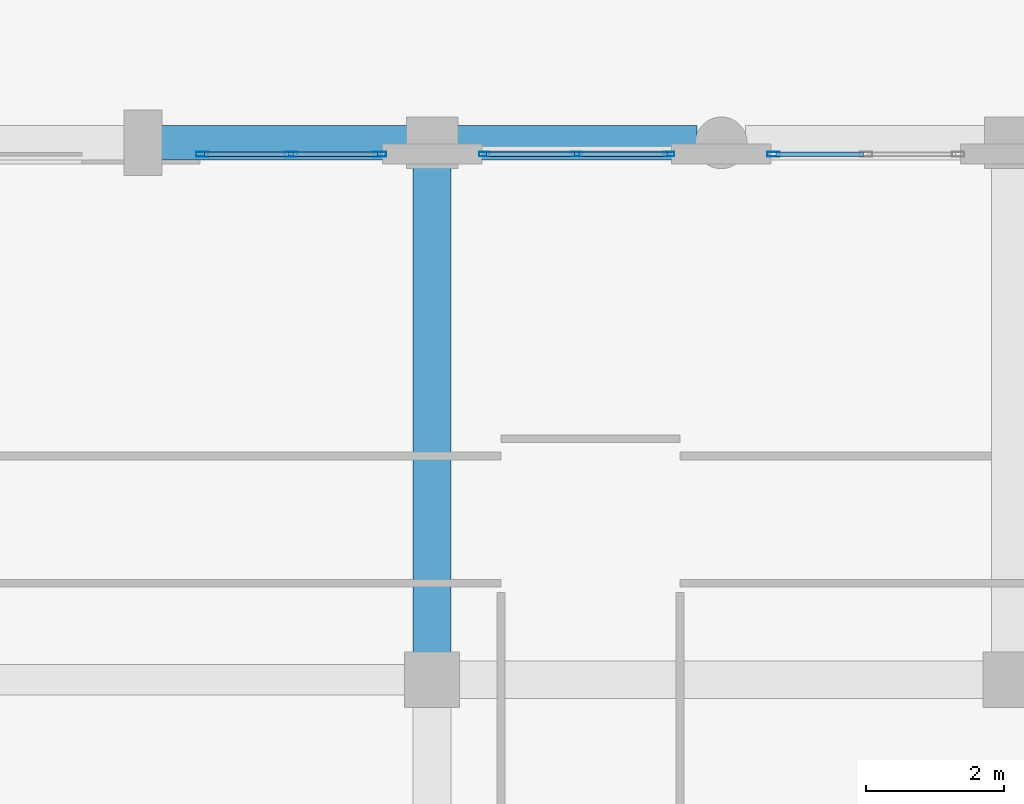
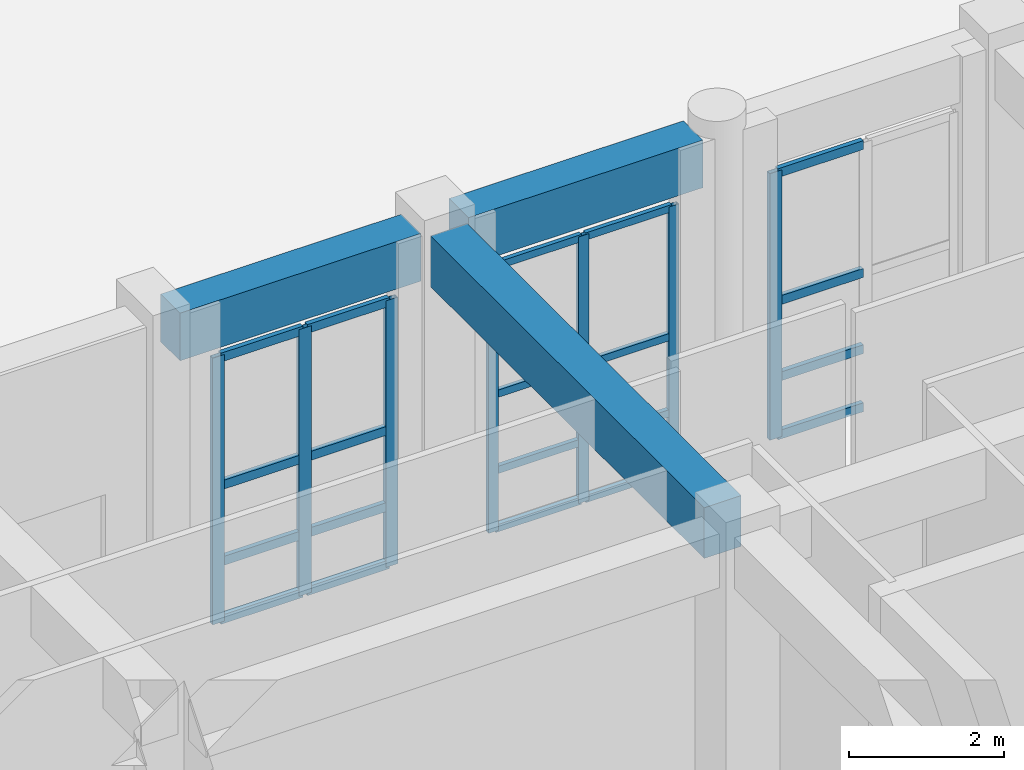
# One storey, part 16 of 148: 27 members, 3 beams, 3 elements without a shape of their own.
"""IFC4 building model written with IfcOpenShell, lengths in metres."""

from ifc_helpers import new_model, si_unit, direction, frame, origin, origin_2d, place, context, subcontext, project, spatial, rectangle, hollow_rectangle, extrude, material, layer, layer_set, material_profile, profile_set, type_object, element, aggregate, save


model = new_model("IFC4")

# Units and contexts
model_context = context("Model", 3, precision=1e-05, world=origin(), true_north=direction((0.0, 1.0)))
body_context = subcontext(model_context, "Body", "Model", "MODEL_VIEW")
ifc_project = project(units=[si_unit("LENGTHUNIT", "METRE"), si_unit("AREAUNIT", "SQUARE_METRE"), si_unit("VOLUMEUNIT", "CUBIC_METRE"), si_unit("PLANEANGLEUNIT", "RADIAN"), si_unit("MASSUNIT", "GRAM", prefix="KILO")], contexts=[model_context])

# Site, building, storey
site_placement = place(None, origin())
site = spatial("IfcSite", under=ifc_project, at=site_placement, CompositionType="ELEMENT")
building_placement = place(site_placement, origin())
building = spatial("IfcBuilding", under=site, at=building_placement, Name="Quendrovan Civic Courthouse", CompositionType="ELEMENT")
storey_placement = place(building_placement, origin())
storey = spatial("IfcBuildingStorey", under=building, at=storey_placement, Name="L01", CompositionType="ELEMENT", Elevation=0.0)

# Beams
ifc_material_1 = material(Name="Concrete C40/50", Category="concrete")
ifc_material_profile_1 = material_profile(ifc_material_1, rectangle(XDim=0.5, YDim=0.75, at=origin_2d()), Name="RC-BM-500x750")
ifc_profile_set_1 = profile_set([ifc_material_profile_1], Name="Concrete C40/50")
beam_type_1 = type_object("IfcBeamType", Name="BM-RC750", PredefinedType="SPANDREL", material=ifc_profile_set_1)
beam_1_placement = place(storey_placement, frame((21.2548828125, 15.60009765625, 4.7451171875), z_axis=(1.0, 0.0, 0.0), x_axis=(0.0, 1.0, 0.0)))
element("IfcBeam", 1, at=beam_1_placement, inside=storey, type_object=beam_type_1, Name="L01 Girder X0266", PredefinedType="SPANDREL", context=body_context, shape_type="SweptSolid", body=[
    extrude(rectangle(XDim=0.5, YDim=0.75, at=origin_2d()), origin(), (0.0, 0.0, 1.0), 3.590087890625),
])
beam_2_placement = place(storey_placement, frame((25.554931640625, 15.60009765625, 4.7451171875), z_axis=(1.0, 0.0, 0.0), x_axis=(0.0, 1.0, 0.0)))
element("IfcBeam", 2, at=beam_2_placement, inside=storey, type_object=beam_type_1, Name="L01 Girder X0267", PredefinedType="SPANDREL", context=body_context, shape_type="SweptSolid", body=[
    extrude(rectangle(XDim=0.5, YDim=0.75, at=origin_2d()), origin(), (0.0, 0.0, 1.0), 3.489990234375),
])
ifc_material_profile_2 = material_profile(ifc_material_1, rectangle(XDim=0.550048828125, YDim=0.800048828125, at=origin_2d()), Name="RC-BM-550x800")
ifc_profile_set_2 = profile_set([ifc_material_profile_2], Name="Concrete C40/50")
beam_type_2 = type_object("IfcBeamType", Name="BM-RC800", PredefinedType="BEAM", material=ifc_profile_set_2)
beam_3_placement = place(storey_placement, frame((25.199951171875, 8.179931640625, 4.719970703125), z_axis=(0.0, 1.0, 0.0), x_axis=(-1.0, 0.0, 0.0)))
element("IfcBeam", 3, at=beam_3_placement, inside=storey, type_object=beam_type_2, Name="L01 Girder Y0400", PredefinedType="BEAM", context=body_context, shape_type="SweptSolid", body=[
    extrude(rectangle(XDim=0.550048828125, YDim=0.800048828125, at=origin_2d()), origin(), (0.0, 0.0, 1.0), 7.065185546875),
])

# Curtain wall, members
ifc_material_2 = material(Name="Bronze anodised aluminium and low-E glass", Category="aluminium")
ifc_layer_1 = layer(ifc_material_2, 0.179931640625, Name="Bronze anodised aluminium and low-E glass")
ifc_layer_set_1 = layer_set([ifc_layer_1], Name="Bronze anodised aluminium and low-E glass")
curtain_wall_type_1 = type_object("IfcCurtainWallType", Name="CW-U26x42", PredefinedType="USERDEFINED", material=ifc_layer_set_1)
curtain_wall_1_placement = place(storey_placement, origin())
curtain_wall_1 = element("IfcCurtainWall", 4, at=curtain_wall_1_placement, inside=storey, type_object=curtain_wall_type_1, Name="L01 Unitised Hurricane Curtain Wall CW-004", ObjectType="UNITISED CURTAIN WALL", PredefinedType="USERDEFINED")
ifc_material_3 = material(Name="Bronze anodised aluminium", Category="aluminium")
ifc_material_profile_3 = material_profile(ifc_material_3, hollow_rectangle(XDim=0.070068359375, YDim=0.179931640625, WallThickness=0.00390625, at=origin_2d()), Name="CW-MULL-70x180")
ifc_profile_set_3 = profile_set([ifc_material_profile_3], Name="Bronze anodised aluminium")
member_type_1 = type_object("IfcMemberType", Name="CW-MULL-A", PredefinedType="MULLION", material=ifc_profile_set_3)
member_1_placement = place(storey_placement, frame((21.860107421875, 15.43505859375, 0.0), z_axis=(0.0, 0.0, 1.0), x_axis=(0.0, 1.0, 0.0)))
member_1 = element("IfcMember", 5, at=member_1_placement, type_object=member_type_1, Name="CW-004 mullion 1", PredefinedType="MULLION", context=body_context, shape_type="SweptSolid", body=[
    extrude(hollow_rectangle(XDim=0.070068359375, YDim=0.179931640625, WallThickness=0.00390625, at=origin_2d()), origin(), (0.0, 0.0, 1.0), 4.199951171875),
])
member_2_placement = place(storey_placement, frame((23.14990234375, 15.43505859375, 0.0), z_axis=(0.0, 0.0, 1.0), x_axis=(0.0, 1.0, 0.0)))
member_2 = element("IfcMember", 6, at=member_2_placement, type_object=member_type_1, Name="CW-004 mullion 2", PredefinedType="MULLION", context=body_context, shape_type="SweptSolid", body=[
    extrude(hollow_rectangle(XDim=0.070068359375, YDim=0.179931640625, WallThickness=0.00390625, at=origin_2d()), origin(), (0.0, 0.0, 1.0), 4.199951171875),
])
member_3_placement = place(storey_placement, frame((24.43994140625, 15.43505859375, 0.0), z_axis=(0.0, 0.0, 1.0), x_axis=(0.0, 1.0, 0.0)))
member_3 = element("IfcMember", 7, at=member_3_placement, type_object=member_type_1, Name="CW-004 mullion 3", PredefinedType="MULLION", context=body_context, shape_type="SweptSolid", body=[
    extrude(hollow_rectangle(XDim=0.070068359375, YDim=0.179931640625, WallThickness=0.00390625, at=origin_2d()), origin(), (0.0, 0.0, 1.0), 4.199951171875),
])

# Curtain wall, member
ifc_layer_2 = layer(ifc_material_2, 0.179931640625, Name="Bronze anodised aluminium and low-E glass")
ifc_layer_set_2 = layer_set([ifc_layer_2], Name="Bronze anodised aluminium and low-E glass")
curtain_wall_type_2 = type_object("IfcCurtainWallType", Name="CW-U28x42", PredefinedType="USERDEFINED", material=ifc_layer_set_2)
curtain_wall_2_placement = place(storey_placement, origin())
curtain_wall_2 = element("IfcCurtainWall", 8, at=curtain_wall_2_placement, inside=storey, type_object=curtain_wall_type_2, Name="L01 Unitised Hurricane Curtain Wall CW-006", ObjectType="UNITISED CURTAIN WALL", PredefinedType="USERDEFINED")
member_4_placement = place(storey_placement, frame((30.159912109375, 15.43505859375, 0.0), z_axis=(0.0, 0.0, 1.0), x_axis=(0.0, 1.0, 0.0)))
member_4 = element("IfcMember", 9, at=member_4_placement, type_object=member_type_1, Name="CW-006 mullion 1", PredefinedType="MULLION", context=body_context, shape_type="SweptSolid", body=[
    extrude(hollow_rectangle(XDim=0.070068359375, YDim=0.179931640625, WallThickness=0.00390625, at=origin_2d()), origin(), (0.0, 0.0, 1.0), 4.199951171875),
])

# Curtain wall, members
curtain_wall_3_placement = place(storey_placement, origin())
curtain_wall_3 = element("IfcCurtainWall", 10, at=curtain_wall_3_placement, inside=storey, type_object=curtain_wall_type_2, Name="L01 Unitised Hurricane Curtain Wall CW-005", ObjectType="UNITISED CURTAIN WALL", PredefinedType="USERDEFINED")
ifc_material_profile_4 = material_profile(ifc_material_3, hollow_rectangle(XDim=0.06494140625, YDim=0.14990234375, WallThickness=0.00390625, at=origin_2d()), Name="CW-MULL-65x150")
ifc_profile_set_4 = profile_set([ifc_material_profile_4], Name="Bronze anodised aluminium")
member_type_2 = type_object("IfcMemberType", Name="CW-MULL-B", PredefinedType="MULLION", material=ifc_profile_set_4)
member_5_placement = place(storey_placement, frame((25.95751953125, 15.43505859375, 0.0), z_axis=(0.0, 0.0, 1.0), x_axis=(0.0, 1.0, 0.0)))
member_5 = element("IfcMember", 11, at=member_5_placement, type_object=member_type_2, Name="CW-005 mullion 1", PredefinedType="MULLION", context=body_context, shape_type="SweptSolid", body=[
    extrude(hollow_rectangle(XDim=0.06494140625, YDim=0.14990234375, WallThickness=0.00390625, at=origin_2d()), origin(), (0.0, 0.0, 1.0), 4.199951171875),
])
member_6_placement = place(storey_placement, frame((27.300048828125, 15.43505859375, 0.0), z_axis=(0.0, 0.0, 1.0), x_axis=(0.0, 1.0, 0.0)))
member_6 = element("IfcMember", 12, at=member_6_placement, type_object=member_type_2, Name="CW-005 mullion 2", PredefinedType="MULLION", context=body_context, shape_type="SweptSolid", body=[
    extrude(hollow_rectangle(XDim=0.06494140625, YDim=0.14990234375, WallThickness=0.00390625, at=origin_2d()), origin(), (0.0, 0.0, 1.0), 4.199951171875),
])
member_7_placement = place(storey_placement, frame((28.642578125, 15.43505859375, 0.0), z_axis=(0.0, 0.0, 1.0), x_axis=(0.0, 1.0, 0.0)))
member_7 = element("IfcMember", 13, at=member_7_placement, type_object=member_type_2, Name="CW-005 mullion 3", PredefinedType="MULLION", context=body_context, shape_type="SweptSolid", body=[
    extrude(hollow_rectangle(XDim=0.06494140625, YDim=0.14990234375, WallThickness=0.00390625, at=origin_2d()), origin(), (0.0, 0.0, 1.0), 4.199951171875),
])

# Member
ifc_material_profile_5 = material_profile(ifc_material_3, hollow_rectangle(XDim=0.070068359375, YDim=0.139892578125, WallThickness=0.00390625, at=origin_2d()), Name="CW-TRAN-70x140")
ifc_profile_set_5 = profile_set([ifc_material_profile_5], Name="Bronze anodised aluminium")
member_type_3 = type_object("IfcMemberType", Name="CW-TRAN-A", PredefinedType="USERDEFINED", material=ifc_profile_set_5)
member_8_placement = place(storey_placement, frame((21.89501953125, 15.43505859375, 0.034912109375), z_axis=(1.0, 0.0, 0.0), x_axis=(0.0, 1.0, 0.0)))
member_8 = element("IfcMember", 14, at=member_8_placement, type_object=member_type_3, Name="CW-004 transom 1.1", ObjectType="TRANSOM", PredefinedType="USERDEFINED", context=body_context, shape_type="SweptSolid", body=[
    extrude(hollow_rectangle(XDim=0.070068359375, YDim=0.139892578125, WallThickness=0.00390625, at=origin_2d()), origin(), (0.0, 0.0, 1.0), 1.219970703125),
])

member_9_placement = place(storey_placement, frame((21.89501953125, 15.43505859375, 0.949951171875), z_axis=(1.0, 0.0, 0.0), x_axis=(0.0, 1.0, 0.0)))
member_9 = element("IfcMember", 15, at=member_9_placement, type_object=member_type_3, Name="CW-004 transom 1.2", ObjectType="TRANSOM", PredefinedType="USERDEFINED", context=body_context, shape_type="SweptSolid", body=[
    extrude(hollow_rectangle(XDim=0.070068359375, YDim=0.139892578125, WallThickness=0.00390625, at=origin_2d()), origin(), (0.0, 0.0, 1.0), 1.219970703125),
])

member_10_placement = place(storey_placement, frame((21.89501953125, 15.43505859375, 2.14990234375), z_axis=(1.0, 0.0, 0.0), x_axis=(0.0, 1.0, 0.0)))
member_10 = element("IfcMember", 16, at=member_10_placement, type_object=member_type_3, Name="CW-004 transom 1.3", ObjectType="TRANSOM", PredefinedType="USERDEFINED", context=body_context, shape_type="SweptSolid", body=[
    extrude(hollow_rectangle(XDim=0.070068359375, YDim=0.139892578125, WallThickness=0.00390625, at=origin_2d()), origin(), (0.0, 0.0, 1.0), 1.219970703125),
])

member_11_placement = place(storey_placement, frame((21.89501953125, 15.43505859375, 4.1650390625), z_axis=(1.0, 0.0, 0.0), x_axis=(0.0, 1.0, 0.0)))
member_11 = element("IfcMember", 17, at=member_11_placement, type_object=member_type_3, Name="CW-004 transom 1.4", ObjectType="TRANSOM", PredefinedType="USERDEFINED", context=body_context, shape_type="SweptSolid", body=[
    extrude(hollow_rectangle(XDim=0.070068359375, YDim=0.139892578125, WallThickness=0.00390625, at=origin_2d()), origin(), (0.0, 0.0, 1.0), 1.219970703125),
])

member_12_placement = place(storey_placement, frame((23.18505859375, 15.43505859375, 0.034912109375), z_axis=(1.0, 0.0, 0.0), x_axis=(0.0, 1.0, 0.0)))
member_12 = element("IfcMember", 18, at=member_12_placement, type_object=member_type_3, Name="CW-004 transom 2.1", ObjectType="TRANSOM", PredefinedType="USERDEFINED", context=body_context, shape_type="SweptSolid", body=[
    extrude(hollow_rectangle(XDim=0.070068359375, YDim=0.139892578125, WallThickness=0.00390625, at=origin_2d()), origin(), (0.0, 0.0, 1.0), 1.219970703125),
])

member_13_placement = place(storey_placement, frame((23.18505859375, 15.43505859375, 0.949951171875), z_axis=(1.0, 0.0, 0.0), x_axis=(0.0, 1.0, 0.0)))
member_13 = element("IfcMember", 19, at=member_13_placement, type_object=member_type_3, Name="CW-004 transom 2.2", ObjectType="TRANSOM", PredefinedType="USERDEFINED", context=body_context, shape_type="SweptSolid", body=[
    extrude(hollow_rectangle(XDim=0.070068359375, YDim=0.139892578125, WallThickness=0.00390625, at=origin_2d()), origin(), (0.0, 0.0, 1.0), 1.219970703125),
])

member_14_placement = place(storey_placement, frame((23.18505859375, 15.43505859375, 2.14990234375), z_axis=(1.0, 0.0, 0.0), x_axis=(0.0, 1.0, 0.0)))
member_14 = element("IfcMember", 20, at=member_14_placement, type_object=member_type_3, Name="CW-004 transom 2.3", ObjectType="TRANSOM", PredefinedType="USERDEFINED", context=body_context, shape_type="SweptSolid", body=[
    extrude(hollow_rectangle(XDim=0.070068359375, YDim=0.139892578125, WallThickness=0.00390625, at=origin_2d()), origin(), (0.0, 0.0, 1.0), 1.219970703125),
])

member_15_placement = place(storey_placement, frame((23.18505859375, 15.43505859375, 4.1650390625), z_axis=(1.0, 0.0, 0.0), x_axis=(0.0, 1.0, 0.0)))
member_15 = element("IfcMember", 21, at=member_15_placement, type_object=member_type_3, Name="CW-004 transom 2.4", ObjectType="TRANSOM", PredefinedType="USERDEFINED", context=body_context, shape_type="SweptSolid", body=[
    extrude(hollow_rectangle(XDim=0.070068359375, YDim=0.139892578125, WallThickness=0.00390625, at=origin_2d()), origin(), (0.0, 0.0, 1.0), 1.219970703125),
])

aggregate(curtain_wall_1, [member_1, member_2, member_3, member_8, member_9, member_10, member_11, member_12, member_13, member_14, member_15])

member_16_placement = place(storey_placement, frame((30.195068359375, 15.43505859375, 0.034912109375), z_axis=(1.0, 0.0, 0.0), x_axis=(0.0, 1.0, 0.0)))
member_16 = element("IfcMember", 22, at=member_16_placement, type_object=member_type_3, Name="CW-006 transom 1.1", ObjectType="TRANSOM", PredefinedType="USERDEFINED", context=body_context, shape_type="SweptSolid", body=[
    extrude(hollow_rectangle(XDim=0.070068359375, YDim=0.139892578125, WallThickness=0.00390625, at=origin_2d()), origin(), (0.0, 0.0, 1.0), 1.27001953125),
])

member_17_placement = place(storey_placement, frame((30.195068359375, 15.43505859375, 0.949951171875), z_axis=(1.0, 0.0, 0.0), x_axis=(0.0, 1.0, 0.0)))
member_17 = element("IfcMember", 23, at=member_17_placement, type_object=member_type_3, Name="CW-006 transom 1.2", ObjectType="TRANSOM", PredefinedType="USERDEFINED", context=body_context, shape_type="SweptSolid", body=[
    extrude(hollow_rectangle(XDim=0.070068359375, YDim=0.139892578125, WallThickness=0.00390625, at=origin_2d()), origin(), (0.0, 0.0, 1.0), 1.27001953125),
])

member_18_placement = place(storey_placement, frame((30.195068359375, 15.43505859375, 2.14990234375), z_axis=(1.0, 0.0, 0.0), x_axis=(0.0, 1.0, 0.0)))
member_18 = element("IfcMember", 24, at=member_18_placement, type_object=member_type_3, Name="CW-006 transom 1.3", ObjectType="TRANSOM", PredefinedType="USERDEFINED", context=body_context, shape_type="SweptSolid", body=[
    extrude(hollow_rectangle(XDim=0.070068359375, YDim=0.139892578125, WallThickness=0.00390625, at=origin_2d()), origin(), (0.0, 0.0, 1.0), 1.27001953125),
])

member_19_placement = place(storey_placement, frame((30.195068359375, 15.43505859375, 4.1650390625), z_axis=(1.0, 0.0, 0.0), x_axis=(0.0, 1.0, 0.0)))
member_19 = element("IfcMember", 25, at=member_19_placement, type_object=member_type_3, Name="CW-006 transom 1.4", ObjectType="TRANSOM", PredefinedType="USERDEFINED", context=body_context, shape_type="SweptSolid", body=[
    extrude(hollow_rectangle(XDim=0.070068359375, YDim=0.139892578125, WallThickness=0.00390625, at=origin_2d()), origin(), (0.0, 0.0, 1.0), 1.27001953125),
])

aggregate(curtain_wall_2, [member_4, member_16, member_17, member_18, member_19])

ifc_material_profile_6 = material_profile(ifc_material_3, hollow_rectangle(XDim=0.06494140625, YDim=0.114990234375, WallThickness=0.00390625, at=origin_2d()), Name="CW-TRAN-65x115")
ifc_profile_set_6 = profile_set([ifc_material_profile_6], Name="Bronze anodised aluminium")
member_type_4 = type_object("IfcMemberType", Name="CW-TRAN-B", PredefinedType="USERDEFINED", material=ifc_profile_set_6)
member_20_placement = place(storey_placement, frame((25.989990234375, 15.43505859375, 0.032470703125), z_axis=(1.0, 0.0, 0.0), x_axis=(0.0, 1.0, 0.0)))
member_20 = element("IfcMember", 26, at=member_20_placement, type_object=member_type_4, Name="CW-005 transom 1.1", ObjectType="TRANSOM", PredefinedType="USERDEFINED", context=body_context, shape_type="SweptSolid", body=[
    extrude(hollow_rectangle(XDim=0.06494140625, YDim=0.114990234375, WallThickness=0.00390625, at=origin_2d()), origin(), (0.0, 0.0, 1.0), 1.277587890625),
])

member_21_placement = place(storey_placement, frame((25.989990234375, 15.43505859375, 0.949951171875), z_axis=(1.0, 0.0, 0.0), x_axis=(0.0, 1.0, 0.0)))
member_21 = element("IfcMember", 27, at=member_21_placement, type_object=member_type_4, Name="CW-005 transom 1.2", ObjectType="TRANSOM", PredefinedType="USERDEFINED", context=body_context, shape_type="SweptSolid", body=[
    extrude(hollow_rectangle(XDim=0.06494140625, YDim=0.114990234375, WallThickness=0.00390625, at=origin_2d()), origin(), (0.0, 0.0, 1.0), 1.277587890625),
])

member_22_placement = place(storey_placement, frame((25.989990234375, 15.43505859375, 2.14990234375), z_axis=(1.0, 0.0, 0.0), x_axis=(0.0, 1.0, 0.0)))
member_22 = element("IfcMember", 28, at=member_22_placement, type_object=member_type_4, Name="CW-005 transom 1.3", ObjectType="TRANSOM", PredefinedType="USERDEFINED", context=body_context, shape_type="SweptSolid", body=[
    extrude(hollow_rectangle(XDim=0.06494140625, YDim=0.114990234375, WallThickness=0.00390625, at=origin_2d()), origin(), (0.0, 0.0, 1.0), 1.277587890625),
])

member_23_placement = place(storey_placement, frame((25.989990234375, 15.43505859375, 4.16748046875), z_axis=(1.0, 0.0, 0.0), x_axis=(0.0, 1.0, 0.0)))
member_23 = element("IfcMember", 29, at=member_23_placement, type_object=member_type_4, Name="CW-005 transom 1.4", ObjectType="TRANSOM", PredefinedType="USERDEFINED", context=body_context, shape_type="SweptSolid", body=[
    extrude(hollow_rectangle(XDim=0.06494140625, YDim=0.114990234375, WallThickness=0.00390625, at=origin_2d()), origin(), (0.0, 0.0, 1.0), 1.277587890625),
])

member_24_placement = place(storey_placement, frame((27.33251953125, 15.43505859375, 0.032470703125), z_axis=(1.0, 0.0, 0.0), x_axis=(0.0, 1.0, 0.0)))
member_24 = element("IfcMember", 30, at=member_24_placement, type_object=member_type_4, Name="CW-005 transom 2.1", ObjectType="TRANSOM", PredefinedType="USERDEFINED", context=body_context, shape_type="SweptSolid", body=[
    extrude(hollow_rectangle(XDim=0.06494140625, YDim=0.114990234375, WallThickness=0.00390625, at=origin_2d()), origin(), (0.0, 0.0, 1.0), 1.277587890625),
])

member_25_placement = place(storey_placement, frame((27.33251953125, 15.43505859375, 0.949951171875), z_axis=(1.0, 0.0, 0.0), x_axis=(0.0, 1.0, 0.0)))
member_25 = element("IfcMember", 31, at=member_25_placement, type_object=member_type_4, Name="CW-005 transom 2.2", ObjectType="TRANSOM", PredefinedType="USERDEFINED", context=body_context, shape_type="SweptSolid", body=[
    extrude(hollow_rectangle(XDim=0.06494140625, YDim=0.114990234375, WallThickness=0.00390625, at=origin_2d()), origin(), (0.0, 0.0, 1.0), 1.277587890625),
])

member_26_placement = place(storey_placement, frame((27.33251953125, 15.43505859375, 2.14990234375), z_axis=(1.0, 0.0, 0.0), x_axis=(0.0, 1.0, 0.0)))
member_26 = element("IfcMember", 32, at=member_26_placement, type_object=member_type_4, Name="CW-005 transom 2.3", ObjectType="TRANSOM", PredefinedType="USERDEFINED", context=body_context, shape_type="SweptSolid", body=[
    extrude(hollow_rectangle(XDim=0.06494140625, YDim=0.114990234375, WallThickness=0.00390625, at=origin_2d()), origin(), (0.0, 0.0, 1.0), 1.277587890625),
])

member_27_placement = place(storey_placement, frame((27.33251953125, 15.43505859375, 4.16748046875), z_axis=(1.0, 0.0, 0.0), x_axis=(0.0, 1.0, 0.0)))
member_27 = element("IfcMember", 33, at=member_27_placement, type_object=member_type_4, Name="CW-005 transom 2.4", ObjectType="TRANSOM", PredefinedType="USERDEFINED", context=body_context, shape_type="SweptSolid", body=[
    extrude(hollow_rectangle(XDim=0.06494140625, YDim=0.114990234375, WallThickness=0.00390625, at=origin_2d()), origin(), (0.0, 0.0, 1.0), 1.277587890625),
])

aggregate(curtain_wall_3, [member_5, member_6, member_7, member_20, member_21, member_22, member_23, member_24, member_25, member_26, member_27])

save(model, "model.ifc")
